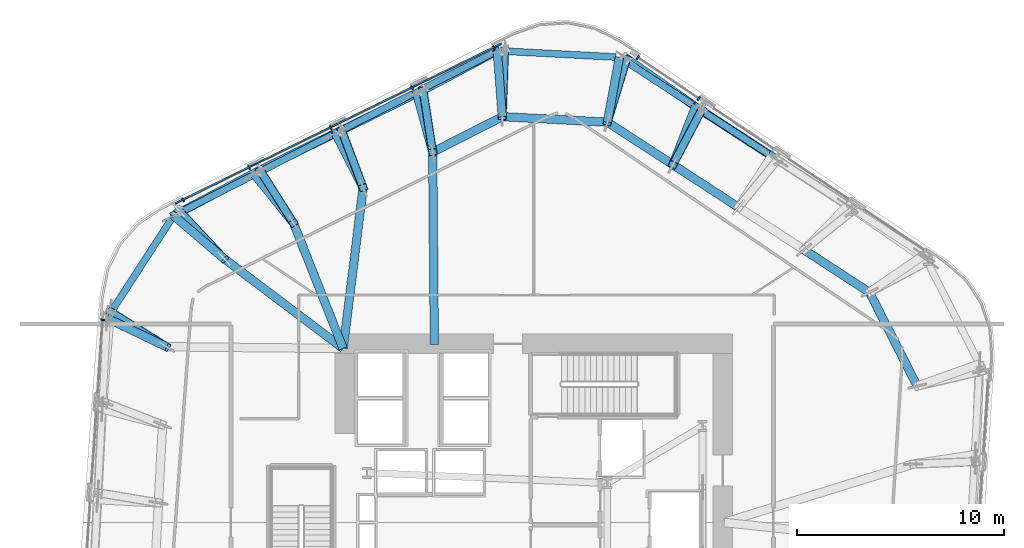
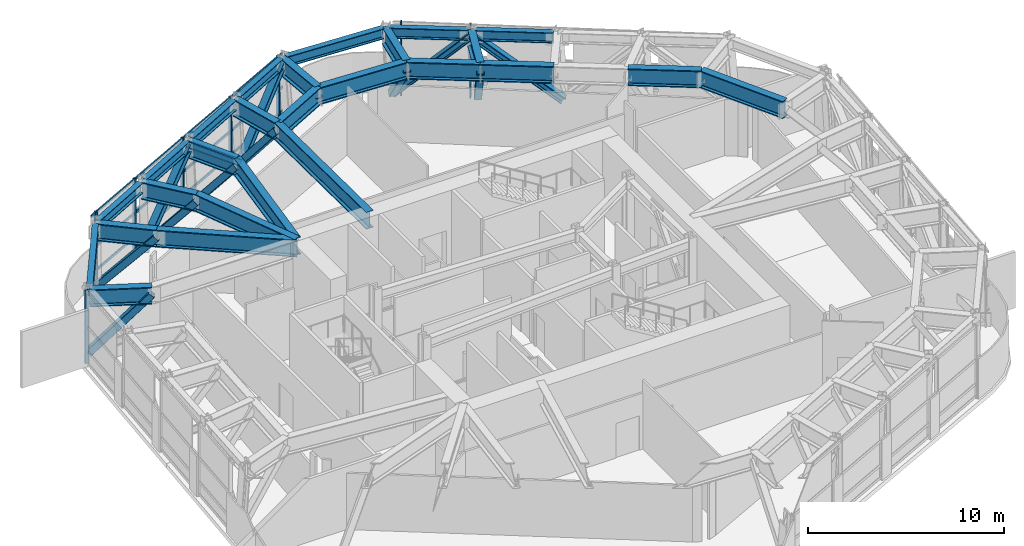
# One storey, part 5 of 14: 26 beams, 26 members, 3 elements without a shape of their own.
"""IFC4 building model written with IfcOpenShell, lengths in metres."""

from ifc_helpers import new_model, si_unit, direction, frame, origin, origin_2d, place, context, subcontext, project, spatial, rectangle, hollow_rectangle, i_section, extrude, material, layer, layer_set, material_profile, profile_set, type_object, element, aggregate, save


model = new_model("IFC4")

# Units and contexts
model_context = context("Model", 3, precision=1e-05, world=origin(), true_north=direction((0.0, 1.0)))
body_context = subcontext(model_context, "Body", "Model", "MODEL_VIEW")
ifc_project = project(units=[si_unit("LENGTHUNIT", "METRE"), si_unit("AREAUNIT", "SQUARE_METRE"), si_unit("VOLUMEUNIT", "CUBIC_METRE"), si_unit("PLANEANGLEUNIT", "RADIAN"), si_unit("MASSUNIT", "GRAM", prefix="KILO")], contexts=[model_context])

# Site, building, storey
site_placement = place(None, origin())
site = spatial("IfcSite", under=ifc_project, at=site_placement, CompositionType="ELEMENT")
building_placement = place(site_placement, origin())
building = spatial("IfcBuilding", under=site, at=building_placement, Name="Valkerne Bourse Tower", CompositionType="ELEMENT")
storey_placement = place(building_placement, frame((0.0, 0.0, 135.199951171875)))
storey = spatial("IfcBuildingStorey", under=building, at=storey_placement, Name="L34", CompositionType="ELEMENT", Elevation=135.199951171875)

# Beams
ifc_material_1 = material(Name="Steel ASTM A992", Category="steel")
ifc_material_profile_1 = material_profile(ifc_material_1, i_section(OverallWidth=0.330078125, OverallDepth=0.647705078125, WebThickness=0.0205078125, FlangeThickness=0.037109375, FilletRadius=0.020263671875, at=origin_2d()), Name="W24X192")
ifc_profile_set_1 = profile_set([ifc_material_profile_1], Name="Steel ASTM A992")
beam_type_1 = type_object("IfcBeamType", Name="BM-W24X192", PredefinedType="SPANDREL", material=ifc_profile_set_1)
beam_1_placement = place(storey_placement, frame((58.142578125, 44.7783203125, 4.25634765625), z_axis=(-0.838669813652, 0.544640196524, 0.0), x_axis=(-0.544640196524, -0.838669813652, 0.0)))
element("IfcBeam", 1, at=beam_1_placement, inside=storey, type_object=beam_type_1, Name="L34 Hexagonal Spandrel Ring Beam 02", PredefinedType="SPANDREL", context=body_context, shape_type="SweptSolid", body=[
    extrude(i_section(OverallWidth=0.330078125, OverallDepth=0.647705078125, WebThickness=0.0205078125, FlangeThickness=0.037109375, FilletRadius=0.020263671875, at=origin_2d()), origin(), (0.0, 0.0, 1.0), 4.04296875),
])
beam_2_placement = place(storey_placement, frame((54.466796875, 47.165283203125, 4.25634765625), z_axis=(-0.838660143757, 0.544655086521, 0.0), x_axis=(-0.544655086521, -0.838660143757, 0.0)))
element("IfcBeam", 2, at=beam_2_placement, inside=storey, type_object=beam_type_1, Name="L34 Hexagonal Spandrel Ring Beam 03", PredefinedType="SPANDREL", context=body_context, shape_type="SweptSolid", body=[
    extrude(i_section(OverallWidth=0.330078125, OverallDepth=0.647705078125, WebThickness=0.0205078125, FlangeThickness=0.037109375, FilletRadius=0.020263671875, at=origin_2d()), origin(), (0.0, 0.0, 1.0), 4.043212890625),
])
beam_3_placement = place(storey_placement, frame((50.763671875, 49.468994140625, 4.25634765625), z_axis=(-0.998631491115, 0.052298613304, 0.0), x_axis=(-0.052298613304, -0.998631491115, 0.0)))
element("IfcBeam", 3, at=beam_3_placement, inside=storey, type_object=beam_type_1, Name="L34 Hexagonal Spandrel Ring Beam 04", PredefinedType="SPANDREL", context=body_context, shape_type="SweptSolid", body=[
    extrude(i_section(OverallWidth=0.330078125, OverallDepth=0.647705078125, WebThickness=0.0205078125, FlangeThickness=0.037109375, FilletRadius=0.020263671875, at=origin_2d()), origin(), (0.0, 0.0, 1.0), 5.564453125),
])
for number, where, z_axis, x_axis, name in (
    (4, (44.885498046875, 49.69189453125, 4.25634765625), (-0.890983269344, -0.454036137052, 0.0), (0.454036137052, -0.890983269344, 0.0), "L34 Hexagonal Spandrel Ring Beam 05"),
    (5, (40.980224609375, 47.701904296875, 4.25634765625), (-0.891007696859, -0.453988198237, 0.0), (0.453988198237, -0.891007696859, 0.0), "L34 Hexagonal Spandrel Ring Beam 06"),
    (6, (37.074951171875, 45.712158203125, 4.25634765625), (-0.891007696859, -0.453988198237, 0.0), (0.453988198237, -0.891007696859, 0.0), "L34 Hexagonal Spandrel Ring Beam 07"),
    (7, (33.169677734375, 43.722412109375, 4.25634765625), (-0.890983269344, -0.454036137052, 0.0), (0.454036137052, -0.890983269344, 0.0), "L34 Hexagonal Spandrel Ring Beam 08"),
):
    element("IfcBeam", number, at=place(storey_placement, frame(where, z_axis=z_axis, x_axis=x_axis)), inside=storey, type_object=beam_type_1, Name=name, PredefinedType="SPANDREL", context=body_context, shape_type="SweptSolid", body=[
        extrude(i_section(OverallWidth=0.330078125, OverallDepth=0.647705078125, WebThickness=0.0205078125, FlangeThickness=0.037109375, FilletRadius=0.020263671875, at=origin_2d()), origin(), (0.0, 0.0, 1.0), 4.04296875),
    ])
beam_4_placement = place(storey_placement, frame((29.3232421875, 41.6669921875, 4.25634765625), z_axis=(-0.54465674401, -0.838659067324, 0.0), x_axis=(0.838659067324, -0.54465674401, 0.0)))
element("IfcBeam", 8, at=beam_4_placement, inside=storey, type_object=beam_type_1, Name="L34 Hexagonal Spandrel Ring Beam 09", PredefinedType="SPANDREL", context=body_context, shape_type="SweptSolid", body=[
    extrude(i_section(OverallWidth=0.330078125, OverallDepth=0.647705078125, WebThickness=0.0205078125, FlangeThickness=0.037109375, FilletRadius=0.020263671875, at=origin_2d()), origin(), (0.0, 0.0, 1.0), 5.564453125),
])
ifc_material_2 = material(Name="Steel ASTM A913 Grade 65", Category="steel")
ifc_material_profile_2 = material_profile(ifc_material_2, i_section(OverallWidth=0.408935546875, OverallDepth=1.06689453125, WebThickness=0.031005859375, FlangeThickness=0.055908203125, FilletRadius=0.030517578125, at=origin_2d()), Name="W40X397")
ifc_profile_set_2 = profile_set([ifc_material_profile_2], Name="Steel ASTM A913 Grade 65")
beam_type_2 = type_object("IfcBeamType", Name="BM-W40X397", PredefinedType="BEAM", material=ifc_profile_set_2)
beam_5_placement = place(storey_placement, frame((63.0068359375, 38.1083984375, 4.046630859375), z_axis=(-0.838672796646, 0.544635603102, 0.0), x_axis=(-0.544635603102, -0.838672796646, 0.0)))
element("IfcBeam", 9, at=beam_5_placement, inside=storey, type_object=beam_type_2, Name="L34 Setback Ring Transfer Girder 00", PredefinedType="BEAM", context=body_context, shape_type="SweptSolid", body=[
    extrude(i_section(OverallWidth=0.408935546875, OverallDepth=1.06689453125, WebThickness=0.031005859375, FlangeThickness=0.055908203125, FilletRadius=0.030517578125, at=origin_2d()), origin(), (0.0, 0.0, 1.0), 3.771240234375),
])
beam_6_placement = place(storey_placement, frame((56.681396484375, 42.21630859375, 4.046630859375), z_axis=(-0.838683164669, 0.54461963727, 0.0), x_axis=(-0.54461963727, -0.838683164669, 0.0)))
element("IfcBeam", 10, at=beam_6_placement, inside=storey, type_object=beam_type_2, Name="L34 Setback Ring Transfer Girder 02", PredefinedType="BEAM", context=body_context, shape_type="SweptSolid", body=[
    extrude(i_section(OverallWidth=0.408935546875, OverallDepth=1.06689453125, WebThickness=0.031005859375, FlangeThickness=0.055908203125, FilletRadius=0.030517578125, at=origin_2d()), origin(), (0.0, 0.0, 1.0), 3.77099609375),
])
beam_7_placement = place(storey_placement, frame((54.609375, 47.07275390625, 4.046630859375), z_axis=(-0.362626458635, -0.931934574687, 0.0), x_axis=(0.931934574687, -0.362626458635, 0.0)))
element("IfcBeam", 11, at=beam_7_placement, inside=storey, type_object=beam_type_2, Name="L34 Radial Setback Transfer Girder Out 03", PredefinedType="BEAM", context=body_context, shape_type="SweptSolid", body=[
    extrude(i_section(OverallWidth=0.408935546875, OverallDepth=1.06689453125, WebThickness=0.031005859375, FlangeThickness=0.055908203125, FilletRadius=0.030517578125, at=origin_2d()), origin(), (0.0, 0.0, 1.0), 3.00732421875),
])
beam_8_placement = place(storey_placement, frame((53.518798828125, 44.27001953125, 4.046630859375), z_axis=(-0.838653592165, 0.544665174532, 0.0), x_axis=(-0.544665174532, -0.838653592165, 0.0)))
element("IfcBeam", 12, at=beam_8_placement, inside=storey, type_object=beam_type_2, Name="L34 Setback Ring Transfer Girder 03", PredefinedType="BEAM", context=body_context, shape_type="SweptSolid", body=[
    extrude(i_section(OverallWidth=0.408935546875, OverallDepth=1.06689453125, WebThickness=0.031005859375, FlangeThickness=0.055908203125, FilletRadius=0.030517578125, at=origin_2d()), origin(), (0.0, 0.0, 1.0), 3.77099609375),
])
beam_9_placement = place(storey_placement, frame((50.933349609375, 49.4599609375, 4.046630859375), z_axis=(-0.181000680629, -0.983482970677, 0.0), x_axis=(0.983482970677, -0.181000680629, 0.0)))
element("IfcBeam", 13, at=beam_9_placement, inside=storey, type_object=beam_type_2, Name="L34 Radial Setback Transfer Girder Out 04", PredefinedType="BEAM", context=body_context, shape_type="SweptSolid", body=[
    extrude(i_section(OverallWidth=0.408935546875, OverallDepth=1.06689453125, WebThickness=0.031005859375, FlangeThickness=0.055908203125, FilletRadius=0.030517578125, at=origin_2d()), origin(), (0.0, 0.0, 1.0), 3.188720703125),
])
beam_10_placement = place(storey_placement, frame((50.356201171875, 46.323974609375, 4.046630859375), z_axis=(-0.998631998342, 0.052288927003, 0.0), x_axis=(-0.052288927003, -0.998631998342, 0.0)))
element("IfcBeam", 14, at=beam_10_placement, inside=storey, type_object=beam_type_2, Name="L34 Setback Ring Transfer Girder 04", PredefinedType="BEAM", context=body_context, shape_type="SweptSolid", body=[
    extrude(i_section(OverallWidth=0.408935546875, OverallDepth=1.06689453125, WebThickness=0.031005859375, FlangeThickness=0.055908203125, FilletRadius=0.030517578125, at=origin_2d()), origin(), (0.0, 0.0, 1.0), 5.079833984375),
])
beam_11_placement = place(storey_placement, frame((45.036865234375, 49.76904296875, 4.046630859375), z_axis=(0.077246802557, -0.99701200168, 0.0), x_axis=(0.99701200168, 0.077246802557, 0.0)))
element("IfcBeam", 15, at=beam_11_placement, inside=storey, type_object=beam_type_2, Name="L34 Radial Setback Transfer Girder Out 05", PredefinedType="BEAM", context=body_context, shape_type="SweptSolid", body=[
    extrude(i_section(OverallWidth=0.408935546875, OverallDepth=1.06689453125, WebThickness=0.031005859375, FlangeThickness=0.055908203125, FilletRadius=0.030517578125, at=origin_2d()), origin(), (0.0, 0.0, 1.0), 3.18896484375),
])
beam_12_placement = place(storey_placement, frame((45.283203125, 46.589599609375, 4.046630859375), z_axis=(-0.891022204047, -0.453959724971, 0.0), x_axis=(0.453959724971, -0.891022204047, 0.0)))
element("IfcBeam", 16, at=beam_12_placement, inside=storey, type_object=beam_type_2, Name="L34 Setback Ring Transfer Girder 05", PredefinedType="BEAM", context=body_context, shape_type="SweptSolid", body=[
    extrude(i_section(OverallWidth=0.408935546875, OverallDepth=1.06689453125, WebThickness=0.031005859375, FlangeThickness=0.055908203125, FilletRadius=0.030517578125, at=origin_2d()), origin(), (0.0, 0.0, 1.0), 3.77099609375),
])
beam_13_placement = place(storey_placement, frame((41.131591796875, 47.779052734375, 4.046630859375), z_axis=(0.263186096034, -0.964745084908, 0.0), x_axis=(0.964745084908, 0.263186096034, 0.0)))
element("IfcBeam", 17, at=beam_13_placement, inside=storey, type_object=beam_type_2, Name="L34 Radial Setback Transfer Girder Out 06", PredefinedType="BEAM", context=body_context, shape_type="SweptSolid", body=[
    extrude(i_section(OverallWidth=0.408935546875, OverallDepth=1.06689453125, WebThickness=0.031005859375, FlangeThickness=0.055908203125, FilletRadius=0.030517578125, at=origin_2d()), origin(), (0.0, 0.0, 1.0), 3.00732421875),
])
beam_14_placement = place(storey_placement, frame((41.923095703125, 44.877685546875, 4.046630859375), z_axis=(0.008288970776, -0.999965645892, 0.0), x_axis=(0.999965645892, 0.008288970776, 0.0)))
element("IfcBeam", 18, at=beam_14_placement, inside=storey, type_object=beam_type_2, Name="L34 Radial Setback Transfer Girder In 06", PredefinedType="BEAM", context=body_context, shape_type="SweptSolid", body=[
    extrude(i_section(OverallWidth=0.408935546875, OverallDepth=1.06689453125, WebThickness=0.031005859375, FlangeThickness=0.055908203125, FilletRadius=0.030517578125, at=origin_2d()), origin(), (0.0, 0.0, 1.0), 9.27783203125),
])
beam_15_placement = place(storey_placement, frame((37.226318359375, 45.789306640625, 4.046630859375), z_axis=(0.453966770373, -0.891018614507, 0.0), x_axis=(0.891018614507, 0.453966770373, 0.0)))
element("IfcBeam", 19, at=beam_15_placement, inside=storey, type_object=beam_type_2, Name="L34 Radial Setback Transfer Girder Out 07", PredefinedType="BEAM", context=body_context, shape_type="SweptSolid", body=[
    extrude(i_section(OverallWidth=0.408935546875, OverallDepth=1.06689453125, WebThickness=0.031005859375, FlangeThickness=0.055908203125, FilletRadius=0.030517578125, at=origin_2d()), origin(), (0.0, 0.0, 1.0), 2.9443359375),
])
beam_16_placement = place(storey_placement, frame((38.56298828125, 43.165771484375, 4.046630859375), z_axis=(-0.123047833084, -0.992400741018, 0.0), x_axis=(0.992400741018, -0.123047833084, 0.0)))
element("IfcBeam", 20, at=beam_16_placement, inside=storey, type_object=beam_type_2, Name="L34 Radial Setback Transfer Girder In 07", PredefinedType="BEAM", context=body_context, shape_type="SweptSolid", body=[
    extrude(i_section(OverallWidth=0.408935546875, OverallDepth=1.06689453125, WebThickness=0.031005859375, FlangeThickness=0.055908203125, FilletRadius=0.030517578125, at=origin_2d()), origin(), (0.0, 0.0, 1.0), 7.825439453125),
])
beam_17_placement = place(storey_placement, frame((33.321044921875, 43.799560546875, 4.046630859375), z_axis=(0.625773476751, -0.780004843443, 0.0), x_axis=(0.780004843443, 0.625773476751, 0.0)))
element("IfcBeam", 21, at=beam_17_placement, inside=storey, type_object=beam_type_2, Name="L34 Radial Setback Transfer Girder Out 08", PredefinedType="BEAM", context=body_context, shape_type="SweptSolid", body=[
    extrude(i_section(OverallWidth=0.408935546875, OverallDepth=1.06689453125, WebThickness=0.031005859375, FlangeThickness=0.055908203125, FilletRadius=0.030517578125, at=origin_2d()), origin(), (0.0, 0.0, 1.0), 3.007568359375),
])
beam_18_placement = place(storey_placement, frame((35.203125, 41.45361328125, 4.046630859375), z_axis=(0.368142999985, -0.929769181874, 0.0), x_axis=(0.929769181874, 0.368142999985, 0.0)))
element("IfcBeam", 22, at=beam_18_placement, inside=storey, type_object=beam_type_2, Name="L34 Radial Setback Transfer Girder In 08", PredefinedType="BEAM", context=body_context, shape_type="SweptSolid", body=[
    extrude(i_section(OverallWidth=0.408935546875, OverallDepth=1.06689453125, WebThickness=0.031005859375, FlangeThickness=0.055908203125, FilletRadius=0.030517578125, at=origin_2d()), origin(), (0.0, 0.0, 1.0), 6.510986328125),
])
beam_19_placement = place(storey_placement, frame((29.415771484375, 41.8095703125, 4.046630859375), z_axis=(0.761241830729, -0.64846809879, 0.0), x_axis=(0.64846809879, 0.761241830729, 0.0)))
element("IfcBeam", 23, at=beam_19_placement, inside=storey, type_object=beam_type_2, Name="L34 Radial Setback Transfer Girder Out 09", PredefinedType="BEAM", context=body_context, shape_type="SweptSolid", body=[
    extrude(i_section(OverallWidth=0.408935546875, OverallDepth=1.06689453125, WebThickness=0.031005859375, FlangeThickness=0.055908203125, FilletRadius=0.030517578125, at=origin_2d()), origin(), (0.0, 0.0, 1.0), 3.18896484375),
])
beam_20_placement = place(storey_placement, frame((31.84326171875, 39.74169921875, 4.046630859375), z_axis=(0.798388158135, -0.602143129953, 0.0), x_axis=(0.602143129953, 0.798388158135, 0.0)))
element("IfcBeam", 24, at=beam_20_placement, inside=storey, type_object=beam_type_2, Name="L34 Radial Setback Transfer Girder In 09", PredefinedType="BEAM", context=body_context, shape_type="SweptSolid", body=[
    extrude(i_section(OverallWidth=0.408935546875, OverallDepth=1.06689453125, WebThickness=0.031005859375, FlangeThickness=0.055908203125, FilletRadius=0.030517578125, at=origin_2d()), origin(), (0.0, 0.0, 1.0), 7.210693359375),
])
beam_21_placement = place(storey_placement, frame((26.199951171875, 36.857666015625, 4.046630859375), z_axis=(0.902040913997, -0.431650540919, 0.0), x_axis=(0.431650540919, 0.902040913997, 0.0)))
element("IfcBeam", 25, at=beam_21_placement, inside=storey, type_object=beam_type_2, Name="L34 Radial Setback Transfer Girder Out 10", PredefinedType="BEAM", context=body_context, shape_type="SweptSolid", body=[
    extrude(i_section(OverallWidth=0.408935546875, OverallDepth=1.06689453125, WebThickness=0.031005859375, FlangeThickness=0.055908203125, FilletRadius=0.030517578125, at=origin_2d()), origin(), (0.0, 0.0, 1.0), 3.188720703125),
])
beam_22_placement = place(storey_placement, frame((65.31298828125, 33.58203125, 4.046630859375), z_axis=(-0.453967537305, 0.89101822376, 0.0), x_axis=(-0.89101822376, -0.453967537305, 0.0)))
element("IfcBeam", 26, at=beam_22_placement, inside=storey, type_object=beam_type_2, Name="L34 Setback Ring Transfer Girder 29", PredefinedType="BEAM", context=body_context, shape_type="SweptSolid", body=[
    extrude(i_section(OverallWidth=0.408935546875, OverallDepth=1.06689453125, WebThickness=0.031005859375, FlangeThickness=0.055908203125, FilletRadius=0.030517578125, at=origin_2d()), origin(), (0.0, 0.0, 1.0), 5.080078125),
])

# Curtain wall, members
ifc_material_3 = material(Name="Aluminium AA 6063-T6", Category="aluminium")
ifc_layer = layer(ifc_material_3, 0.25)
ifc_layer_set = layer_set([ifc_layer], Name="Aluminium AA 6063-T6")
curtain_wall_type = type_object("IfcCurtainWallType", Name="CW-06", PredefinedType="NOTDEFINED", material=ifc_layer_set)
curtain_wall_1_placement = place(storey_placement, origin())
curtain_wall_1 = element("IfcCurtainWall", 27, at=curtain_wall_1_placement, inside=storey, type_object=curtain_wall_type, Name="L34 Hexagonal Stick Curtain Wall Face 1", PredefinedType="NOTDEFINED")
ifc_material_profile_3 = material_profile(ifc_material_3, rectangle(XDim=0.074951171875, YDim=0.199951171875, at=origin_2d()), Name="CWM-75X200")
ifc_profile_set_3 = profile_set([ifc_material_profile_3], Name="Aluminium AA 6063-T6")
member_type_1 = type_object("IfcMemberType", Name="CW-MUL-220X75", PredefinedType="MULLION", material=ifc_profile_set_3)
member_1_placement = place(storey_placement, frame((54.7646484375, 47.464111328125, 0.0), z_axis=(0.0, 0.0, 1.0), x_axis=(-0.830008836501, 0.557750240996, 0.0)))
member_1 = element("IfcMember", 28, at=member_1_placement, type_object=member_type_1, Name="CW-L34-F1 Jamb Mullion 03A", PredefinedType="MULLION", context=body_context, shape_type="SweptSolid", body=[
    extrude(rectangle(XDim=0.074951171875, YDim=0.199951171875, at=origin_2d()), origin(), (0.0, 0.0, 1.0), 4.580078125),
])
member_2_placement = place(storey_placement, frame((51.823974609375, 49.440185546875, 0.0), z_axis=(0.0, 0.0, 1.0), x_axis=(-0.830008836501, 0.557750240996, 0.0)))
member_2 = element("IfcMember", 29, at=member_2_placement, type_object=member_type_1, Name="CW-L34-F1 Jamb Mullion 03B", PredefinedType="MULLION", context=body_context, shape_type="SweptSolid", body=[
    extrude(rectangle(XDim=0.074951171875, YDim=0.199951171875, at=origin_2d()), origin(), (0.0, 0.0, 1.0), 4.580078125),
])
aggregate(curtain_wall_1, [member_1, member_2])

curtain_wall_2_placement = place(storey_placement, origin())
curtain_wall_2 = element("IfcCurtainWall", 30, at=curtain_wall_2_placement, inside=storey, type_object=curtain_wall_type, Name="L34 Hexagonal Stick Curtain Wall Face 2", PredefinedType="NOTDEFINED")
member_3_placement = place(storey_placement, frame((44.867919921875, 49.91455078125, 0.0), z_axis=(0.0, 0.0, 1.0), x_axis=(-0.898025366762, -0.439943678955, 0.0)))
member_3 = element("IfcMember", 31, at=member_3_placement, type_object=member_type_1, Name="CW-L34-F2 Jamb Mullion 00A", PredefinedType="MULLION", context=body_context, shape_type="SweptSolid", body=[
    extrude(rectangle(XDim=0.074951171875, YDim=0.199951171875, at=origin_2d()), origin(), (0.0, 0.0, 1.0), 4.580078125),
])
member_4_placement = place(storey_placement, frame((40.931884765625, 47.986083984375, 0.0), z_axis=(0.0, 0.0, 1.0), x_axis=(-0.898029964785, -0.439934293216, 0.0)))
member_4 = element("IfcMember", 32, at=member_4_placement, type_object=member_type_1, Name="CW-L34-F2 Jamb Mullion 01A", PredefinedType="MULLION", context=body_context, shape_type="SweptSolid", body=[
    extrude(rectangle(XDim=0.074951171875, YDim=0.199951171875, at=origin_2d()), origin(), (0.0, 0.0, 1.0), 4.580078125),
])
member_5_placement = place(storey_placement, frame((36.995849609375, 46.05810546875, 0.0), z_axis=(0.0, 0.0, 1.0), x_axis=(-0.898025366762, -0.439943678955, 0.0)))
member_5 = element("IfcMember", 33, at=member_5_placement, type_object=member_type_1, Name="CW-L34-F2 Jamb Mullion 02A", PredefinedType="MULLION", context=body_context, shape_type="SweptSolid", body=[
    extrude(rectangle(XDim=0.074951171875, YDim=0.199951171875, at=origin_2d()), origin(), (0.0, 0.0, 1.0), 4.580078125),
])
member_6_placement = place(storey_placement, frame((33.059814453125, 44.129638671875, 0.0), z_axis=(0.0, 0.0, 1.0), x_axis=(-0.898020950754, -0.439952692919, 0.0)))
member_6 = element("IfcMember", 34, at=member_6_placement, type_object=member_type_1, Name="CW-L34-F2 Jamb Mullion 03A", PredefinedType="MULLION", context=body_context, shape_type="SweptSolid", body=[
    extrude(rectangle(XDim=0.074951171875, YDim=0.199951171875, at=origin_2d()), origin(), (0.0, 0.0, 1.0), 4.580078125),
])
member_7_placement = place(storey_placement, frame((29.878173828125, 42.57080078125, 0.0), z_axis=(0.0, 0.0, 1.0), x_axis=(-0.898020950754, -0.439952692919, 0.0)))
member_7 = element("IfcMember", 35, at=member_7_placement, type_object=member_type_1, Name="CW-L34-F2 Jamb Mullion 03B", PredefinedType="MULLION", context=body_context, shape_type="SweptSolid", body=[
    extrude(rectangle(XDim=0.074951171875, YDim=0.199951171875, at=origin_2d()), origin(), (0.0, 0.0, 1.0), 4.580078125),
])

# Curtain wall, member
curtain_wall_3_placement = place(storey_placement, origin())
curtain_wall_3 = element("IfcCurtainWall", 36, at=curtain_wall_3_placement, inside=storey, type_object=curtain_wall_type, Name="L34 Hexagonal Stick Curtain Wall Face 3", PredefinedType="NOTDEFINED")
member_8_placement = place(storey_placement, frame((25.989501953125, 36.7841796875, 0.0), z_axis=(0.0, 0.0, 1.0), x_axis=(-0.068012017201, -0.997684501993, 0.0)))
member_8 = element("IfcMember", 37, at=member_8_placement, type_object=member_type_1, Name="CW-L34-F3 Jamb Mullion 00A", PredefinedType="MULLION", context=body_context, shape_type="SweptSolid", body=[
    extrude(rectangle(XDim=0.074951171875, YDim=0.199951171875, at=origin_2d()), origin(), (0.0, 0.0, 1.0), 4.580078125),
])
aggregate(curtain_wall_3, [member_8])

# Member
ifc_material_profile_4 = material_profile(ifc_material_3, rectangle(XDim=0.074951171875, YDim=0.14990234375, at=origin_2d()), Name="CWT-75X150")
ifc_profile_set_4 = profile_set([ifc_material_profile_4], Name="Aluminium AA 6063-T6")
member_type_2 = type_object("IfcMemberType", Name="CW-TRN-180X65", PredefinedType="USERDEFINED", material=ifc_profile_set_4)
member_9_placement = place(storey_placement, frame((45.236328125, 50.1171875, 0.1201171875), z_axis=(-0.898023973344, -0.439946523227, 0.0), x_axis=(0.439946523227, -0.898023973344, 0.0)))
member_9 = element("IfcMember", 38, at=member_9_placement, type_object=member_type_2, Name="CW-L34-F2 Continuous Face Transom 1", ObjectType="TRANSOM", PredefinedType="USERDEFINED", context=body_context, shape_type="SweptSolid", body=[
    extrude(rectangle(XDim=0.074951171875, YDim=0.14990234375, at=origin_2d()), origin(), (0.0, 0.0, 1.0), 17.531982421875),
])

member_10_placement = place(storey_placement, frame((45.236328125, 50.1171875, 0.900146484375), z_axis=(-0.898023973344, -0.439946523227, 0.0), x_axis=(0.439946523227, -0.898023973344, 0.0)))
member_10 = element("IfcMember", 39, at=member_10_placement, type_object=member_type_2, Name="CW-L34-F2 Continuous Face Transom 2", ObjectType="TRANSOM", PredefinedType="USERDEFINED", context=body_context, shape_type="SweptSolid", body=[
    extrude(rectangle(XDim=0.074951171875, YDim=0.14990234375, at=origin_2d()), origin(), (0.0, 0.0, 1.0), 17.531982421875),
])

member_11_placement = place(storey_placement, frame((45.236328125, 50.1171875, 2.400146484375), z_axis=(-0.898023973344, -0.439946523227, 0.0), x_axis=(0.439946523227, -0.898023973344, 0.0)))
member_11 = element("IfcMember", 40, at=member_11_placement, type_object=member_type_2, Name="CW-L34-F2 Continuous Face Transom 3", ObjectType="TRANSOM", PredefinedType="USERDEFINED", context=body_context, shape_type="SweptSolid", body=[
    extrude(rectangle(XDim=0.074951171875, YDim=0.14990234375, at=origin_2d()), origin(), (0.0, 0.0, 1.0), 17.531982421875),
])

member_12_placement = place(storey_placement, frame((45.236328125, 50.1171875, 4.5), z_axis=(-0.898023973344, -0.439946523227, 0.0), x_axis=(0.439946523227, -0.898023973344, 0.0)))
member_12 = element("IfcMember", 41, at=member_12_placement, type_object=member_type_2, Name="CW-L34-F2 Continuous Face Transom 4", ObjectType="TRANSOM", PredefinedType="USERDEFINED", context=body_context, shape_type="SweptSolid", body=[
    extrude(rectangle(XDim=0.074951171875, YDim=0.14990234375, at=origin_2d()), origin(), (0.0, 0.0, 1.0), 17.531982421875),
])

aggregate(curtain_wall_2, [member_9, member_10, member_11, member_12, member_3, member_4, member_5, member_6, member_7])

# Members
ifc_material_4 = material(Name="Steel ASTM A500 Grade C", Category="steel")
ifc_material_profile_5 = material_profile(ifc_material_4, hollow_rectangle(XDim=0.39990234375, YDim=0.39990234375, WallThickness=0.01611328125, OuterFilletRadius=0.031982421875, at=origin_2d()), Name="HSS400X400X16")
ifc_profile_set_5 = profile_set([ifc_material_profile_5], Name="Steel ASTM A500 Grade C")
member_type_3 = type_object("IfcMemberType", Name="MBR-HSS400X400X16", PredefinedType="BRACE", material=ifc_profile_set_5)
member_13_placement = place(storey_placement, frame((54.923583984375, 46.94775390625, 0.35009765625), z_axis=(-0.294148015296, -0.560690898813, 0.774017222732), x_axis=(0.885537424246, -0.464568046965, 0.0)))
element("IfcMember", 42, at=member_13_placement, inside=storey, type_object=member_type_3, Name="L34 Setback Outrigger Knee Strut 03", PredefinedType="BRACE", context=body_context, shape_type="SweptSolid", body=[
    extrude(hollow_rectangle(XDim=0.39990234375, YDim=0.39990234375, WallThickness=0.01611328125, OuterFilletRadius=0.031982421875, at=origin_2d()), origin(), (0.0, 0.0, 1.0), 4.77587890625),
])
member_14_placement = place(storey_placement, frame((51.28564453125, 49.392333984375, 0.35009765625), z_axis=(-0.189947322045, -0.627070644462, 0.755448490436), x_axis=(0.957055781169, -0.289903831867, 0.0)))
element("IfcMember", 43, at=member_14_placement, inside=storey, type_object=member_type_3, Name="L34 Setback Outrigger Knee Strut 04", PredefinedType="BRACE", context=body_context, shape_type="SweptSolid", body=[
    extrude(hollow_rectangle(XDim=0.39990234375, YDim=0.39990234375, WallThickness=0.01611328125, OuterFilletRadius=0.031982421875, at=origin_2d()), origin(), (0.0, 0.0, 1.0), 4.89306640625),
])
member_15_placement = place(storey_placement, frame((45.394775390625, 49.7939453125, 0.35009765625), z_axis=(-0.02280090678, -0.654840047016, 0.755423478238), x_axis=(0.999394367592, -0.034797960075, 0.0)))
element("IfcMember", 44, at=member_15_placement, inside=storey, type_object=member_type_3, Name="L34 Setback Outrigger Knee Strut 05", PredefinedType="BRACE", context=body_context, shape_type="SweptSolid", body=[
    extrude(hollow_rectangle(XDim=0.39990234375, YDim=0.39990234375, WallThickness=0.01611328125, OuterFilletRadius=0.031982421875, at=origin_2d()), origin(), (0.0, 0.0, 1.0), 4.893310546875),
])
member_16_placement = place(storey_placement, frame((41.458740234375, 47.865478515625, 0.35009765625), z_axis=(0.097233859709, -0.625629850222, 0.774036734941), x_axis=(0.988137171395, 0.153573860107, 0.0)))
element("IfcMember", 45, at=member_16_placement, inside=storey, type_object=member_type_3, Name="L34 Setback Outrigger Knee Strut 06", PredefinedType="BRACE", context=body_context, shape_type="SweptSolid", body=[
    extrude(hollow_rectangle(XDim=0.39990234375, YDim=0.39990234375, WallThickness=0.01611328125, OuterFilletRadius=0.031982421875, at=origin_2d()), origin(), (0.0, 0.0, 1.0), 4.775634765625),
])
member_17_placement = place(storey_placement, frame((37.522705078125, 45.9375, 0.35009765625), z_axis=(0.219657674124, -0.58525547391, 0.780529651235), x_axis=(0.936230860085, 0.351385509982, 0.0)))
element("IfcMember", 46, at=member_17_placement, inside=storey, type_object=member_type_3, Name="L34 Setback Outrigger Knee Strut 07", PredefinedType="BRACE", context=body_context, shape_type="SweptSolid", body=[
    extrude(hollow_rectangle(XDim=0.39990234375, YDim=0.39990234375, WallThickness=0.01611328125, OuterFilletRadius=0.031982421875, at=origin_2d()), origin(), (0.0, 0.0, 1.0), 4.73583984375),
])
member_18_placement = place(storey_placement, frame((33.586669921875, 44.009033203125, 0.35009765625), z_axis=(0.338473926682, -0.535086329947, 0.774027144524), x_axis=(0.845114569559, 0.534585226431, 0.0)))
element("IfcMember", 47, at=member_18_placement, inside=storey, type_object=member_type_3, Name="L34 Setback Outrigger Knee Strut 08", PredefinedType="BRACE", context=body_context, shape_type="SweptSolid", body=[
    extrude(hollow_rectangle(XDim=0.39990234375, YDim=0.39990234375, WallThickness=0.01611328125, OuterFilletRadius=0.031982421875, at=origin_2d()), origin(), (0.0, 0.0, 1.0), 4.775634765625),
])
member_19_placement = place(storey_placement, frame((29.650634765625, 42.080810546875, 0.35009765625), z_axis=(0.44809667851, -0.478032989289, 0.755442802507), x_axis=(0.729582321945, 0.683893000041, 0.0)))
element("IfcMember", 48, at=member_19_placement, inside=storey, type_object=member_type_3, Name="L34 Setback Outrigger Knee Strut 09", PredefinedType="BRACE", context=body_context, shape_type="SweptSolid", body=[
    extrude(hollow_rectangle(XDim=0.39990234375, YDim=0.39990234375, WallThickness=0.01611328125, OuterFilletRadius=0.031982421875, at=origin_2d()), origin(), (0.0, 0.0, 1.0), 4.893310546875),
])
member_20_placement = place(storey_placement, frame((26.357421875, 37.179931640625, 0.35009765625), z_axis=(0.555672932498, -0.347164610247, 0.755449750467), x_axis=(0.529855187622, 0.848088132301, 0.0)))
element("IfcMember", 49, at=member_20_placement, inside=storey, type_object=member_type_3, Name="L34 Setback Outrigger Knee Strut 10", PredefinedType="BRACE", context=body_context, shape_type="SweptSolid", body=[
    extrude(hollow_rectangle(XDim=0.39990234375, YDim=0.39990234375, WallThickness=0.01611328125, OuterFilletRadius=0.031982421875, at=origin_2d()), origin(), (0.0, 0.0, 1.0), 4.89306640625),
])
ifc_material_profile_6 = material_profile(ifc_material_2, i_section(OverallWidth=0.40380859375, OverallDepth=0.406494140625, WebThickness=0.027099609375, FlangeThickness=0.043701171875, FilletRadius=0.025390625, at=origin_2d()), Name="W14X233")
ifc_profile_set_6 = profile_set([ifc_material_profile_6], Name="Steel ASTM A913 Grade 65")
member_type_4 = type_object("IfcMemberType", Name="MBR-W14X233", PredefinedType="BRACE", material=ifc_profile_set_6)
member_21_placement = place(storey_placement, frame((58.5615234375, 44.503173828125, 0.35009765625), z_axis=(-0.647321880947, 0.420871188348, 0.635485503584), x_axis=(-0.54509028832, -0.838377347964, 0.0)))
element("IfcMember", 50, at=member_21_placement, inside=storey, type_object=member_type_4, Name="L34 Perimeter Belt Truss Diagonal 02", PredefinedType="BRACE", context=body_context, shape_type="SweptSolid", body=[
    extrude(i_section(OverallWidth=0.40380859375, OverallDepth=0.406494140625, WebThickness=0.027099609375, FlangeThickness=0.043701171875, FilletRadius=0.025390625, at=origin_2d()), origin(), (0.0, 0.0, 1.0), 6.10546875),
])
member_22_placement = place(storey_placement, frame((51.28564453125, 49.392333984375, 0.35009765625), z_axis=(0.5923803791, -0.413413102823, 0.69150205558), x_axis=(0.572297481747, 0.820046091623, 0.0)))
element("IfcMember", 51, at=member_22_placement, inside=storey, type_object=member_type_4, Name="L34 Perimeter Belt Truss Diagonal 03", PredefinedType="BRACE", context=body_context, shape_type="SweptSolid", body=[
    extrude(i_section(OverallWidth=0.40380859375, OverallDepth=0.406494140625, WebThickness=0.027099609375, FlangeThickness=0.043701171875, FilletRadius=0.025390625, at=origin_2d()), origin(), (0.0, 0.0, 1.0), 5.61083984375),
])
member_23_placement = place(storey_placement, frame((41.458740234375, 47.865478515625, 0.35009765625), z_axis=(0.637731636257, 0.339273578596, 0.691514135057), x_axis=(-0.469671912875, 0.882841035666, 0.0)))
element("IfcMember", 52, at=member_23_placement, inside=storey, type_object=member_type_4, Name="L34 Perimeter Belt Truss Diagonal 05", PredefinedType="BRACE", context=body_context, shape_type="SweptSolid", body=[
    extrude(i_section(OverallWidth=0.40380859375, OverallDepth=0.406494140625, WebThickness=0.027099609375, FlangeThickness=0.043701171875, FilletRadius=0.025390625, at=origin_2d()), origin(), (0.0, 0.0, 1.0), 5.610595703125),
])
member_24_placement = place(storey_placement, frame((41.458740234375, 47.865478515625, 0.35009765625), z_axis=(-0.693212344301, -0.340048325792, 0.635471306854), x_axis=(0.440406091268, -0.897798682765, 0.0)))
element("IfcMember", 53, at=member_24_placement, inside=storey, type_object=member_type_4, Name="L34 Perimeter Belt Truss Diagonal 06", PredefinedType="BRACE", context=body_context, shape_type="SweptSolid", body=[
    extrude(i_section(OverallWidth=0.40380859375, OverallDepth=0.406494140625, WebThickness=0.027099609375, FlangeThickness=0.043701171875, FilletRadius=0.025390625, at=origin_2d()), origin(), (0.0, 0.0, 1.0), 6.10546875),
])
member_25_placement = place(storey_placement, frame((33.586669921875, 44.009033203125, 0.35009765625), z_axis=(0.648801314142, 0.317350361063, 0.69162533434), x_axis=(-0.43938736136, 0.898297693795, 0.0)))
element("IfcMember", 54, at=member_25_placement, inside=storey, type_object=member_type_4, Name="L34 Perimeter Belt Truss Diagonal 07", PredefinedType="BRACE", context=body_context, shape_type="SweptSolid", body=[
    extrude(i_section(OverallWidth=0.40380859375, OverallDepth=0.406494140625, WebThickness=0.027099609375, FlangeThickness=0.043701171875, FilletRadius=0.025390625, at=origin_2d()), origin(), (0.0, 0.0, 1.0), 5.60986328125),
])
member_26_placement = place(storey_placement, frame((33.586669921875, 44.009033203125, 0.35009765625), z_axis=(-0.683042704189, -0.360192678649, 0.635384842833), x_axis=(0.466452620919, -0.884546184457, 0.0)))
element("IfcMember", 55, at=member_26_placement, inside=storey, type_object=member_type_4, Name="L34 Perimeter Belt Truss Diagonal 08", PredefinedType="BRACE", context=body_context, shape_type="SweptSolid", body=[
    extrude(i_section(OverallWidth=0.40380859375, OverallDepth=0.406494140625, WebThickness=0.027099609375, FlangeThickness=0.043701171875, FilletRadius=0.025390625, at=origin_2d()), origin(), (0.0, 0.0, 1.0), 6.1064453125),
])

save(model, "model.ifc")
